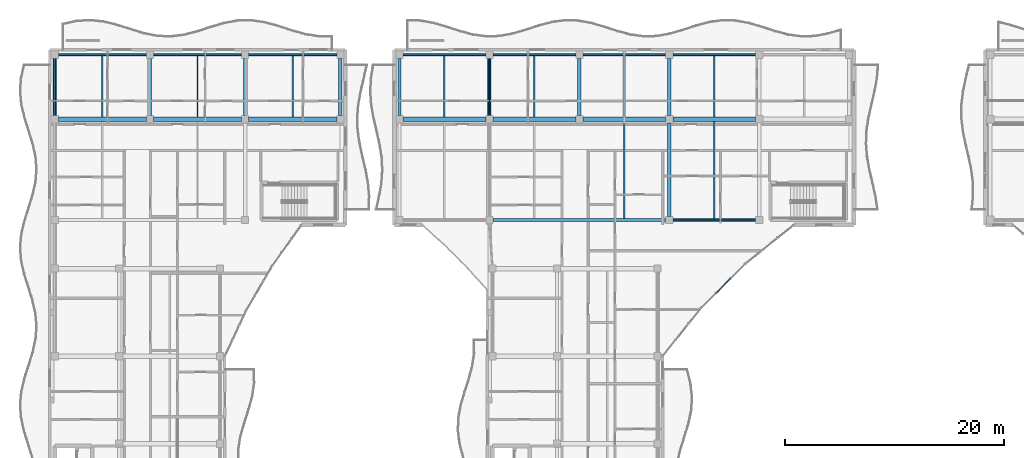
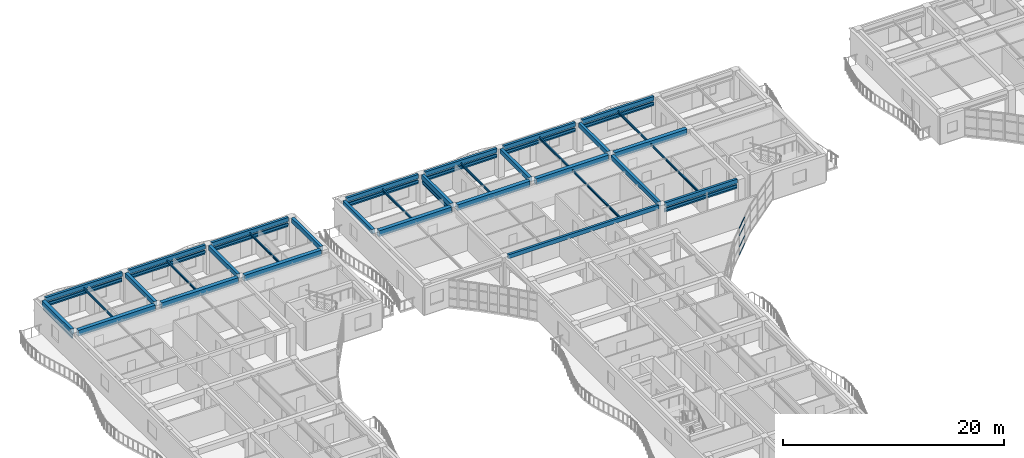
# One storey, part 48 of 128: 34 beams, 24 members, 1 element without a shape of its own.
"""IFC4 building model written with IfcOpenShell, lengths in metres."""

from ifc_helpers import new_model, si_unit, direction, frame, origin, origin_2d, place, context, subcontext, project, spatial, rectangle, hollow_rectangle, i_section, extrude, material, layer, layer_set, material_profile, profile_set, type_object, element, aggregate, save


model = new_model("IFC4")

# Units and contexts
model_context = context("Model", 3, precision=1e-05, world=origin(), true_north=direction((0.0, 1.0)))
body_context = subcontext(model_context, "Body", "Model", "MODEL_VIEW")
ifc_project = project(units=[si_unit("LENGTHUNIT", "METRE"), si_unit("AREAUNIT", "SQUARE_METRE"), si_unit("VOLUMEUNIT", "CUBIC_METRE"), si_unit("PLANEANGLEUNIT", "RADIAN"), si_unit("MASSUNIT", "GRAM", prefix="KILO")], contexts=[model_context])

# Site, building, storey
site_placement = place(None, origin())
site = spatial("IfcSite", under=ifc_project, at=site_placement, CompositionType="ELEMENT")
building_placement = place(site_placement, origin())
building = spatial("IfcBuilding", under=site, at=building_placement, Name="Keldmere Railside Commons", CompositionType="ELEMENT")
storey_placement = place(building_placement, frame((0.0, 0.0, 4.159912109375)))
storey = spatial("IfcBuildingStorey", under=building, at=storey_placement, Name="L01", CompositionType="ELEMENT", Elevation=4.159912109375)

# Members
ifc_material_1 = material(Name="Steel F-36 (S355)", Category="steel")
ifc_material_profile_1 = material_profile(ifc_material_1, hollow_rectangle(XDim=0.14990234375, YDim=0.25, WallThickness=0.010009765625, at=origin_2d()), Name="RHS-250x150x10")
ifc_profile_set_1 = profile_set([ifc_material_profile_1], Name="Steel F-36 (S355)")
member_type_1 = type_object("IfcMemberType", Name="Balcony Continuous Planted Trough RHS250x150", PredefinedType="CHORD", material=ifc_profile_set_1)
member_1_placement = place(storey_placement, frame((8.77490234375, 115.550048828125, 2.4150390625), z_axis=(1.0, 0.0, 0.0), x_axis=(0.0, 1.0, 0.0)))
element("IfcMember", 1, at=member_1_placement, inside=storey, type_object=member_type_1, Name="PLT-1 MEM-BPLT-0093", PredefinedType="CHORD", context=body_context, shape_type="SweptSolid", body=[
    extrude(hollow_rectangle(XDim=0.14990234375, YDim=0.25, WallThickness=0.010009765625, at=origin_2d()), origin(), (0.0, 0.0, 1.0), 8.050048828125),
])
member_2_placement = place(storey_placement, frame((17.47509765625, 115.550048828125, 2.4150390625), z_axis=(1.0, 0.0, 0.0), x_axis=(0.0, 1.0, 0.0)))
element("IfcMember", 2, at=member_2_placement, inside=storey, type_object=member_type_1, Name="PLT-1 MEM-BPLT-0095", PredefinedType="CHORD", context=body_context, shape_type="SweptSolid", body=[
    extrude(hollow_rectangle(XDim=0.14990234375, YDim=0.25, WallThickness=0.010009765625, at=origin_2d()), origin(), (0.0, 0.0, 1.0), 8.0498046875),
])
member_3_placement = place(storey_placement, frame((26.175048828125, 115.550048828125, 2.4150390625), z_axis=(1.0, 0.0, 0.0), x_axis=(0.0, 1.0, 0.0)))
element("IfcMember", 3, at=member_3_placement, inside=storey, type_object=member_type_1, Name="PLT-1 MEM-BPLT-0097", PredefinedType="CHORD", context=body_context, shape_type="SweptSolid", body=[
    extrude(hollow_rectangle(XDim=0.14990234375, YDim=0.25, WallThickness=0.010009765625, at=origin_2d()), origin(), (0.0, 0.0, 1.0), 8.050048828125),
])
member_4_placement = place(storey_placement, frame((8.449951171875, 109.97509765625, 2.4150390625), z_axis=(0.0, 1.0, 0.0), x_axis=(-1.0, 0.0, 0.0)))
element("IfcMember", 4, at=member_4_placement, inside=storey, type_object=member_type_1, Name="PLT-1 MEM-BPLT-0107", PredefinedType="CHORD", context=body_context, shape_type="SweptSolid", body=[
    extrude(hollow_rectangle(XDim=0.14990234375, YDim=0.25, WallThickness=0.010009765625, at=origin_2d()), origin(), (0.0, 0.0, 1.0), 5.25),
])
member_5_placement = place(storey_placement, frame((40.27490234375, 115.550048828125, 2.4150390625), z_axis=(1.0, 0.0, 0.0), x_axis=(0.0, 1.0, 0.0)))
element("IfcMember", 5, at=member_5_placement, inside=storey, type_object=member_type_1, Name="PLT-1 MEM-BPLT-0119", PredefinedType="CHORD", context=body_context, shape_type="SweptSolid", body=[
    extrude(hollow_rectangle(XDim=0.14990234375, YDim=0.25, WallThickness=0.010009765625, at=origin_2d()), origin(), (0.0, 0.0, 1.0), 7.570068359375),
])
for number, where, z_axis, x_axis, name in (
    (6, (48.4951171875, 115.550048828125, 2.4150390625), (1.0, 0.0, 0.0), (0.0, 1.0, 0.0), "PLT-1 MEM-BPLT-0121"),
    (7, (56.715087890625, 115.550048828125, 2.4150390625), (1.0, 0.0, 0.0), (0.0, 1.0, 0.0), "PLT-1 MEM-BPLT-0123"),
    (8, (64.93505859375, 115.550048828125, 2.4150390625), (1.0, 0.0, 0.0), (0.0, 1.0, 0.0), "PLT-1 MEM-BPLT-0125"),
    (9, (64.93505859375, 100.449951171875, 2.4150390625), (1.0, 0.0, 0.0), (0.0, 1.0, 0.0), "PLT-1 MEM-BPLT-0131"),
):
    element("IfcMember", number, at=place(storey_placement, frame(where, z_axis=z_axis, x_axis=x_axis)), inside=storey, type_object=member_type_1, Name=name, PredefinedType="CHORD", context=body_context, shape_type="SweptSolid", body=[
        extrude(hollow_rectangle(XDim=0.14990234375, YDim=0.25, WallThickness=0.010009765625, at=origin_2d()), origin(), (0.0, 0.0, 1.0), 7.56982421875),
    ])
member_6_placement = place(storey_placement, frame((48.169921875, 109.97509765625, 2.4150390625), z_axis=(0.0, 1.0, 0.0), x_axis=(-1.0, 0.0, 0.0)))
element("IfcMember", 10, at=member_6_placement, inside=storey, type_object=member_type_1, Name="PLT-1 MEM-BPLT-0141", PredefinedType="CHORD", context=body_context, shape_type="SweptSolid", body=[
    extrude(hollow_rectangle(XDim=0.14990234375, YDim=0.25, WallThickness=0.010009765625, at=origin_2d()), origin(), (0.0, 0.0, 1.0), 5.25),
])

# Beams
ifc_material_profile_2 = material_profile(ifc_material_1, i_section(OverallWidth=0.1201171875, OverallDepth=0.239990234375, WebThickness=0.006103515625, FlangeThickness=0.009765625, at=origin_2d()), Name="IPE-240")
ifc_profile_set_2 = profile_set([ifc_material_profile_2], Name="Steel F-36 (S355)")
beam_type_1 = type_object("IfcBeamType", Name="Nursery & Mezzanine Steel Joist IPE240", PredefinedType="JOIST", material=ifc_profile_set_2)
for number, where, z_axis, x_axis, name in (
    (11, (60.5, 100.574951171875, 2.81005859375), (0.0, 1.0, 0.0), (-1.0, 0.0, 0.0), "JST-2 BM-L01-1021"),
    (12, (68.719970703125, 100.574951171875, 2.81005859375), (0.0, 1.0, 0.0), (-1.0, 0.0, 0.0), "JST-2 BM-L01-1022"),
):
    element("IfcBeam", number, at=place(storey_placement, frame(where, z_axis=z_axis, x_axis=x_axis)), inside=storey, type_object=beam_type_1, Name=name, PredefinedType="JOIST", context=body_context, shape_type="SweptSolid", body=[
        extrude(i_section(OverallWidth=0.1201171875, OverallDepth=0.239990234375, WebThickness=0.006103515625, FlangeThickness=0.009765625, at=origin_2d()), origin(), (0.0, 0.0, 1.0), 8.875),
    ])
for number, where, z_axis, x_axis, name in (
    (13, (12.800048828125, 109.85009765625, 2.81005859375), (0.0, 1.0, 0.0), (-1.0, 0.0, 0.0), "JST-2 BM-L01-1030"),
    (14, (21.5, 109.85009765625, 2.81005859375), (0.0, 1.0, 0.0), (-1.0, 0.0, 0.0), "JST-2 BM-L01-1031"),
    (15, (30.199951171875, 109.85009765625, 2.81005859375), (0.0, 1.0, 0.0), (-1.0, 0.0, 0.0), "JST-2 BM-L01-1032"),
    (16, (44.06005859375, 109.85009765625, 2.81005859375), (0.0, 1.0, 0.0), (-1.0, 0.0, 0.0), "JST-2 BM-L01-1033"),
    (17, (52.280029296875, 109.85009765625, 2.81005859375), (0.0, 1.0, 0.0), (-1.0, 0.0, 0.0), "JST-2 BM-L01-1034"),
    (18, (60.5, 109.85009765625, 2.81005859375), (0.0, 1.0, 0.0), (-1.0, 0.0, 0.0), "JST-2 BM-L01-1035"),
    (19, (68.719970703125, 109.85009765625, 2.81005859375), (0.0, 1.0, 0.0), (-1.0, 0.0, 0.0), "JST-2 BM-L01-1036"),
):
    element("IfcBeam", number, at=place(storey_placement, frame(where, z_axis=z_axis, x_axis=x_axis)), inside=storey, type_object=beam_type_1, Name=name, PredefinedType="JOIST", context=body_context, shape_type="SweptSolid", body=[
        extrude(i_section(OverallWidth=0.1201171875, OverallDepth=0.239990234375, WebThickness=0.006103515625, FlangeThickness=0.009765625, at=origin_2d()), origin(), (0.0, 0.0, 1.0), 5.574951171875),
    ])
ifc_material_2 = material(Name="Architectural Precast Concrete H-35 (C35/45)", Category="concrete")
ifc_material_profile_3 = material_profile(ifc_material_2, rectangle(XDim=0.25, YDim=0.449951171875, at=origin_2d()), Name="RC-250x450")
ifc_profile_set_3 = profile_set([ifc_material_profile_3], Name="Architectural Precast Concrete H-35 (C35/45)")
beam_type_2 = type_object("IfcBeamType", Name="Perimeter Precast Spandrel Beam 250x450", PredefinedType="SPANDREL", material=ifc_profile_set_3)
beam_1_placement = place(storey_placement, frame((48.4951171875, 100.449951171875, 2.97509765625), z_axis=(1.0, 0.0, 0.0), x_axis=(0.0, 1.0, 0.0)))
element("IfcBeam", 20, at=beam_1_placement, inside=storey, type_object=beam_type_2, Name="SPB-1 BM-L01-0821", PredefinedType="SPANDREL", context=body_context, shape_type="SweptSolid", body=[
    extrude(rectangle(XDim=0.25, YDim=0.449951171875, at=origin_2d()), origin(), (0.0, 0.0, 1.0), 15.789794921875),
])
beam_2_placement = place(storey_placement, frame((64.93505859375, 100.449951171875, 2.97509765625), z_axis=(1.0, 0.0, 0.0), x_axis=(0.0, 1.0, 0.0)))
element("IfcBeam", 21, at=beam_2_placement, inside=storey, type_object=beam_type_2, Name="SPB-1 BM-L01-0822", PredefinedType="SPANDREL", context=body_context, shape_type="SweptSolid", body=[
    extrude(rectangle(XDim=0.25, YDim=0.449951171875, at=origin_2d()), origin(), (0.0, 0.0, 1.0), 7.56982421875),
])
beam_3_placement = place(storey_placement, frame((8.77490234375, 115.550048828125, 2.97509765625), z_axis=(1.0, 0.0, 0.0), x_axis=(0.0, 1.0, 0.0)))
element("IfcBeam", 22, at=beam_3_placement, inside=storey, type_object=beam_type_2, Name="SPB-1 BM-L01-0848", PredefinedType="SPANDREL", context=body_context, shape_type="SweptSolid", body=[
    extrude(rectangle(XDim=0.25, YDim=0.449951171875, at=origin_2d()), origin(), (0.0, 0.0, 1.0), 8.050048828125),
])
beam_4_placement = place(storey_placement, frame((17.47509765625, 115.550048828125, 2.97509765625), z_axis=(1.0, 0.0, 0.0), x_axis=(0.0, 1.0, 0.0)))
element("IfcBeam", 23, at=beam_4_placement, inside=storey, type_object=beam_type_2, Name="SPB-1 BM-L01-0849", PredefinedType="SPANDREL", context=body_context, shape_type="SweptSolid", body=[
    extrude(rectangle(XDim=0.25, YDim=0.449951171875, at=origin_2d()), origin(), (0.0, 0.0, 1.0), 8.0498046875),
])
beam_5_placement = place(storey_placement, frame((26.175048828125, 115.550048828125, 2.97509765625), z_axis=(1.0, 0.0, 0.0), x_axis=(0.0, 1.0, 0.0)))
element("IfcBeam", 24, at=beam_5_placement, inside=storey, type_object=beam_type_2, Name="SPB-1 BM-L01-0850", PredefinedType="SPANDREL", context=body_context, shape_type="SweptSolid", body=[
    extrude(rectangle(XDim=0.25, YDim=0.449951171875, at=origin_2d()), origin(), (0.0, 0.0, 1.0), 8.050048828125),
])
beam_6_placement = place(storey_placement, frame((40.27490234375, 115.550048828125, 2.97509765625), z_axis=(1.0, 0.0, 0.0), x_axis=(0.0, 1.0, 0.0)))
element("IfcBeam", 25, at=beam_6_placement, inside=storey, type_object=beam_type_2, Name="SPB-1 BM-L01-0851", PredefinedType="SPANDREL", context=body_context, shape_type="SweptSolid", body=[
    extrude(rectangle(XDim=0.25, YDim=0.449951171875, at=origin_2d()), origin(), (0.0, 0.0, 1.0), 7.570068359375),
])
for number, where, z_axis, x_axis, name in (
    (26, (48.4951171875, 115.550048828125, 2.97509765625), (1.0, 0.0, 0.0), (0.0, 1.0, 0.0), "SPB-1 BM-L01-0852"),
    (27, (56.715087890625, 115.550048828125, 2.97509765625), (1.0, 0.0, 0.0), (0.0, 1.0, 0.0), "SPB-1 BM-L01-0853"),
    (28, (64.93505859375, 115.550048828125, 2.97509765625), (1.0, 0.0, 0.0), (0.0, 1.0, 0.0), "SPB-1 BM-L01-0854"),
):
    element("IfcBeam", number, at=place(storey_placement, frame(where, z_axis=z_axis, x_axis=x_axis)), inside=storey, type_object=beam_type_2, Name=name, PredefinedType="SPANDREL", context=body_context, shape_type="SweptSolid", body=[
        extrude(rectangle(XDim=0.25, YDim=0.449951171875, at=origin_2d()), origin(), (0.0, 0.0, 1.0), 7.56982421875),
    ])
ifc_material_3 = material(Name="Concrete H-30 (C30/37)", Category="concrete")
ifc_material_profile_4 = material_profile(ifc_material_3, rectangle(XDim=0.35009765625, YDim=0.60009765625, at=origin_2d()), Name="RC-350x600")
ifc_profile_set_4 = profile_set([ifc_material_profile_4], Name="Concrete H-30 (C30/37)")
beam_type_3 = type_object("IfcBeamType", Name="Residential Chord RC Beam 350x600", PredefinedType="BEAM", material=ifc_profile_set_4)
beam_7_placement = place(storey_placement, frame((8.449951171875, 109.97509765625, 2.900146484375), z_axis=(0.0, 1.0, 0.0), x_axis=(-1.0, 0.0, 0.0)))
element("IfcBeam", 29, at=beam_7_placement, inside=storey, type_object=beam_type_3, Name="BG-4 BM-L01-0872", PredefinedType="BEAM", context=body_context, shape_type="SweptSolid", body=[
    extrude(rectangle(XDim=0.35009765625, YDim=0.60009765625, at=origin_2d()), origin(), (0.0, 0.0, 1.0), 5.25),
])
ifc_material_profile_5 = material_profile(ifc_material_3, rectangle(XDim=0.39990234375, YDim=0.64990234375, at=origin_2d()), Name="RC-400x650")
ifc_profile_set_5 = profile_set([ifc_material_profile_5], Name="Concrete H-30 (C30/37)")
beam_type_4 = type_object("IfcBeamType", Name="Residential Spine RC Girder 400x650", PredefinedType="BEAM", material=ifc_profile_set_5)
beam_8_placement = place(storey_placement, frame((8.77490234375, 109.64990234375, 2.875), z_axis=(1.0, 0.0, 0.0), x_axis=(0.0, 1.0, 0.0)))
element("IfcBeam", 30, at=beam_8_placement, inside=storey, type_object=beam_type_4, Name="BG-3 BM-L01-0829", PredefinedType="BEAM", context=body_context, shape_type="SweptSolid", body=[
    extrude(rectangle(XDim=0.39990234375, YDim=0.64990234375, at=origin_2d()), origin(), (0.0, 0.0, 1.0), 8.050048828125),
])
beam_9_placement = place(storey_placement, frame((17.47509765625, 109.64990234375, 2.875), z_axis=(1.0, 0.0, 0.0), x_axis=(0.0, 1.0, 0.0)))
element("IfcBeam", 31, at=beam_9_placement, inside=storey, type_object=beam_type_4, Name="BG-3 BM-L01-0830", PredefinedType="BEAM", context=body_context, shape_type="SweptSolid", body=[
    extrude(rectangle(XDim=0.39990234375, YDim=0.64990234375, at=origin_2d()), origin(), (0.0, 0.0, 1.0), 8.0498046875),
])
beam_10_placement = place(storey_placement, frame((26.175048828125, 109.64990234375, 2.875), z_axis=(1.0, 0.0, 0.0), x_axis=(0.0, 1.0, 0.0)))
element("IfcBeam", 32, at=beam_10_placement, inside=storey, type_object=beam_type_4, Name="BG-3 BM-L01-0831", PredefinedType="BEAM", context=body_context, shape_type="SweptSolid", body=[
    extrude(rectangle(XDim=0.39990234375, YDim=0.64990234375, at=origin_2d()), origin(), (0.0, 0.0, 1.0), 8.050048828125),
])
beam_11_placement = place(storey_placement, frame((40.27490234375, 109.64990234375, 2.875), z_axis=(1.0, 0.0, 0.0), x_axis=(0.0, 1.0, 0.0)))
element("IfcBeam", 33, at=beam_11_placement, inside=storey, type_object=beam_type_4, Name="BG-3 BM-L01-0832", PredefinedType="BEAM", context=body_context, shape_type="SweptSolid", body=[
    extrude(rectangle(XDim=0.39990234375, YDim=0.64990234375, at=origin_2d()), origin(), (0.0, 0.0, 1.0), 7.570068359375),
])
for number, where, z_axis, x_axis, name in (
    (34, (48.4951171875, 109.64990234375, 2.875), (1.0, 0.0, 0.0), (0.0, 1.0, 0.0), "BG-3 BM-L01-0833"),
    (35, (56.715087890625, 109.64990234375, 2.875), (1.0, 0.0, 0.0), (0.0, 1.0, 0.0), "BG-3 BM-L01-0834"),
    (36, (64.93505859375, 109.64990234375, 2.875), (1.0, 0.0, 0.0), (0.0, 1.0, 0.0), "BG-3 BM-L01-0835"),
):
    element("IfcBeam", number, at=place(storey_placement, frame(where, z_axis=z_axis, x_axis=x_axis)), inside=storey, type_object=beam_type_4, Name=name, PredefinedType="BEAM", context=body_context, shape_type="SweptSolid", body=[
        extrude(rectangle(XDim=0.39990234375, YDim=0.64990234375, at=origin_2d()), origin(), (0.0, 0.0, 1.0), 7.56982421875),
    ])
ifc_material_profile_6 = material_profile(ifc_material_3, rectangle(XDim=0.300048828125, YDim=0.5, at=origin_2d()), Name="RC-300x500")
ifc_profile_set_6 = profile_set([ifc_material_profile_6], Name="Concrete H-30 (C30/37)")
beam_type_5 = type_object("IfcBeamType", Name="Secondary Frame RC Beam 300x500", PredefinedType="BEAM", material=ifc_profile_set_6)
for number, where, z_axis, x_axis, name in (
    (37, (17.14990234375, 109.97509765625, 2.9501953125), (0.0, 1.0, 0.0), (-1.0, 0.0, 0.0), "BG-5 BM-L01-0878"),
    (38, (25.85009765625, 109.97509765625, 2.9501953125), (0.0, 1.0, 0.0), (-1.0, 0.0, 0.0), "BG-5 BM-L01-0885"),
    (39, (34.550048828125, 109.97509765625, 2.9501953125), (0.0, 1.0, 0.0), (-1.0, 0.0, 0.0), "BG-5 BM-L01-0886"),
    (40, (39.949951171875, 109.97509765625, 2.9501953125), (0.0, 1.0, 0.0), (-1.0, 0.0, 0.0), "BG-5 BM-L01-0888"),
    (41, (48.169921875, 109.97509765625, 2.9501953125), (0.0, 1.0, 0.0), (-1.0, 0.0, 0.0), "BG-5 BM-L01-0892"),
    (42, (56.389892578125, 109.97509765625, 2.9501953125), (0.0, 1.0, 0.0), (-1.0, 0.0, 0.0), "BG-5 BM-L01-0900"),
):
    element("IfcBeam", number, at=place(storey_placement, frame(where, z_axis=z_axis, x_axis=x_axis)), inside=storey, type_object=beam_type_5, Name=name, PredefinedType="BEAM", context=body_context, shape_type="SweptSolid", body=[
        extrude(rectangle(XDim=0.300048828125, YDim=0.5, at=origin_2d()), origin(), (0.0, 0.0, 1.0), 5.25),
    ])
beam_12_placement = place(storey_placement, frame((64.610107421875, 100.77490234375, 2.9501953125), z_axis=(0.0, 1.0, 0.0), x_axis=(-1.0, 0.0, 0.0)))
element("IfcBeam", 43, at=beam_12_placement, inside=storey, type_object=beam_type_5, Name="BG-5 BM-L01-0906", PredefinedType="BEAM", context=body_context, shape_type="SweptSolid", body=[
    extrude(rectangle(XDim=0.300048828125, YDim=0.5, at=origin_2d()), origin(), (0.0, 0.0, 1.0), 8.550048828125),
])
beam_13_placement = place(storey_placement, frame((64.610107421875, 109.97509765625, 2.9501953125), z_axis=(0.0, 1.0, 0.0), x_axis=(-1.0, 0.0, 0.0)))
element("IfcBeam", 44, at=beam_13_placement, inside=storey, type_object=beam_type_5, Name="BG-5 BM-L01-0907", PredefinedType="BEAM", context=body_context, shape_type="SweptSolid", body=[
    extrude(rectangle(XDim=0.300048828125, YDim=0.5, at=origin_2d()), origin(), (0.0, 0.0, 1.0), 5.25),
])

# Members
ifc_material_profile_7 = material_profile(ifc_material_1, hollow_rectangle(XDim=0.10009765625, YDim=0.159912109375, WallThickness=0.008056640625, at=origin_2d()), Name="RHS-160x100x8")
ifc_profile_set_7 = profile_set([ifc_material_profile_7], Name="Steel F-36 (S355)")
member_type_2 = type_object("IfcMemberType", Name="Solar Brise-Soleil Louvre Fin RHS160x100", PredefinedType="STRUT", material=ifc_profile_set_7)
member_7_placement = place(storey_placement, frame((8.77490234375, 115.550048828125, 2.2001953125), z_axis=(1.0, 0.0, 0.0), x_axis=(0.0, 1.0, 0.0)))
element("IfcMember", 45, at=member_7_placement, inside=storey, type_object=member_type_2, Name="BSF-1 MEM-BSF-0094", PredefinedType="STRUT", context=body_context, shape_type="SweptSolid", body=[
    extrude(hollow_rectangle(XDim=0.10009765625, YDim=0.159912109375, WallThickness=0.008056640625, at=origin_2d()), origin(), (0.0, 0.0, 1.0), 8.050048828125),
])
member_8_placement = place(storey_placement, frame((17.47509765625, 115.550048828125, 2.2001953125), z_axis=(1.0, 0.0, 0.0), x_axis=(0.0, 1.0, 0.0)))
element("IfcMember", 46, at=member_8_placement, inside=storey, type_object=member_type_2, Name="BSF-1 MEM-BSF-0096", PredefinedType="STRUT", context=body_context, shape_type="SweptSolid", body=[
    extrude(hollow_rectangle(XDim=0.10009765625, YDim=0.159912109375, WallThickness=0.008056640625, at=origin_2d()), origin(), (0.0, 0.0, 1.0), 8.0498046875),
])
member_9_placement = place(storey_placement, frame((26.175048828125, 115.550048828125, 2.2001953125), z_axis=(1.0, 0.0, 0.0), x_axis=(0.0, 1.0, 0.0)))
element("IfcMember", 47, at=member_9_placement, inside=storey, type_object=member_type_2, Name="BSF-1 MEM-BSF-0098", PredefinedType="STRUT", context=body_context, shape_type="SweptSolid", body=[
    extrude(hollow_rectangle(XDim=0.10009765625, YDim=0.159912109375, WallThickness=0.008056640625, at=origin_2d()), origin(), (0.0, 0.0, 1.0), 8.050048828125),
])
member_10_placement = place(storey_placement, frame((8.449951171875, 109.97509765625, 2.2001953125), z_axis=(0.0, 1.0, 0.0), x_axis=(-1.0, 0.0, 0.0)))
element("IfcMember", 48, at=member_10_placement, inside=storey, type_object=member_type_2, Name="BSF-1 MEM-BSF-0108", PredefinedType="STRUT", context=body_context, shape_type="SweptSolid", body=[
    extrude(hollow_rectangle(XDim=0.10009765625, YDim=0.159912109375, WallThickness=0.008056640625, at=origin_2d()), origin(), (0.0, 0.0, 1.0), 5.25),
])
member_11_placement = place(storey_placement, frame((40.27490234375, 115.550048828125, 2.2001953125), z_axis=(1.0, 0.0, 0.0), x_axis=(0.0, 1.0, 0.0)))
element("IfcMember", 49, at=member_11_placement, inside=storey, type_object=member_type_2, Name="BSF-1 MEM-BSF-0120", PredefinedType="STRUT", context=body_context, shape_type="SweptSolid", body=[
    extrude(hollow_rectangle(XDim=0.10009765625, YDim=0.159912109375, WallThickness=0.008056640625, at=origin_2d()), origin(), (0.0, 0.0, 1.0), 7.570068359375),
])
for number, where, z_axis, x_axis, name in (
    (50, (48.4951171875, 115.550048828125, 2.2001953125), (1.0, 0.0, 0.0), (0.0, 1.0, 0.0), "BSF-1 MEM-BSF-0122"),
    (51, (56.715087890625, 115.550048828125, 2.2001953125), (1.0, 0.0, 0.0), (0.0, 1.0, 0.0), "BSF-1 MEM-BSF-0124"),
    (52, (64.93505859375, 115.550048828125, 2.2001953125), (1.0, 0.0, 0.0), (0.0, 1.0, 0.0), "BSF-1 MEM-BSF-0126"),
    (53, (64.93505859375, 100.449951171875, 2.2001953125), (1.0, 0.0, 0.0), (0.0, 1.0, 0.0), "BSF-1 MEM-BSF-0132"),
):
    element("IfcMember", number, at=place(storey_placement, frame(where, z_axis=z_axis, x_axis=x_axis)), inside=storey, type_object=member_type_2, Name=name, PredefinedType="STRUT", context=body_context, shape_type="SweptSolid", body=[
        extrude(hollow_rectangle(XDim=0.10009765625, YDim=0.159912109375, WallThickness=0.008056640625, at=origin_2d()), origin(), (0.0, 0.0, 1.0), 7.56982421875),
    ])
member_12_placement = place(storey_placement, frame((48.169921875, 109.97509765625, 2.2001953125), z_axis=(0.0, 1.0, 0.0), x_axis=(-1.0, 0.0, 0.0)))
element("IfcMember", 54, at=member_12_placement, inside=storey, type_object=member_type_2, Name="BSF-1 MEM-BSF-0142", PredefinedType="STRUT", context=body_context, shape_type="SweptSolid", body=[
    extrude(hollow_rectangle(XDim=0.10009765625, YDim=0.159912109375, WallThickness=0.008056640625, at=origin_2d()), origin(), (0.0, 0.0, 1.0), 5.25),
])

# Curtain wall, members
ifc_material_4 = material(Name="Thermally Broken Aluminium", Category="aluminium")
ifc_layer = layer(ifc_material_4, 0.159912109375, Name="Court Chord Wintergarden CW 5400x2850")
ifc_layer_set = layer_set([ifc_layer], Name="Thermally Broken Aluminium")
curtain_wall_type = type_object("IfcCurtainWallType", Name="Court Chord Wintergarden CW 5400x2850", PredefinedType="NOTDEFINED", material=ifc_layer_set)
curtain_wall_placement = place(storey_placement, origin())
curtain_wall = element("IfcCurtainWall", 55, at=curtain_wall_placement, inside=storey, type_object=curtain_wall_type, Name="CW-13 CW-L01-032", PredefinedType="NOTDEFINED")
ifc_material_profile_8 = material_profile(ifc_material_4, hollow_rectangle(XDim=0.06494140625, YDim=0.1201171875, WallThickness=0.00390625, at=origin_2d()), Name="ALU-TRAN-65x120")
ifc_profile_set_8 = profile_set([ifc_material_profile_8], Name="Thermally Broken Aluminium")
member_type_3 = type_object("IfcMemberType", Name="Unitised Curtain Wall Transom 65x120", PredefinedType="USERDEFINED", material=ifc_profile_set_8)
member_13_placement = place(storey_placement, frame((70.208251953125, 95.08447265625, 0.032470703125), z_axis=(-0.707106781187, -0.707106781187, 0.0), x_axis=(0.707106781187, -0.707106781187, 0.0)))
member_13 = element("IfcMember", 56, at=member_13_placement, type_object=member_type_3, Name="CW-13 transom 2.1", ObjectType="TRANSOM", PredefinedType="USERDEFINED", context=body_context, shape_type="SweptSolid", body=[
    extrude(hollow_rectangle(XDim=0.06494140625, YDim=0.1201171875, WallThickness=0.00390625, at=origin_2d()), origin(), (0.0, 0.0, 1.0), 1.828125),
])
member_14_placement = place(storey_placement, frame((70.208251953125, 95.08447265625, 0.900146484375), z_axis=(-0.707106781187, -0.707106781187, 0.0), x_axis=(0.707106781187, -0.707106781187, 0.0)))
member_14 = element("IfcMember", 57, at=member_14_placement, type_object=member_type_3, Name="CW-13 transom 2.2", ObjectType="TRANSOM", PredefinedType="USERDEFINED", context=body_context, shape_type="SweptSolid", body=[
    extrude(hollow_rectangle(XDim=0.06494140625, YDim=0.1201171875, WallThickness=0.00390625, at=origin_2d()), origin(), (0.0, 0.0, 1.0), 1.828125),
])
member_15_placement = place(storey_placement, frame((70.208251953125, 95.08447265625, 2.150146484375), z_axis=(-0.707106781187, -0.707106781187, 0.0), x_axis=(0.707106781187, -0.707106781187, 0.0)))
member_15 = element("IfcMember", 58, at=member_15_placement, type_object=member_type_3, Name="CW-13 transom 2.3", ObjectType="TRANSOM", PredefinedType="USERDEFINED", context=body_context, shape_type="SweptSolid", body=[
    extrude(hollow_rectangle(XDim=0.06494140625, YDim=0.1201171875, WallThickness=0.00390625, at=origin_2d()), origin(), (0.0, 0.0, 1.0), 1.828125),
])
member_16_placement = place(storey_placement, frame((70.208251953125, 95.08447265625, 2.947509765625), z_axis=(-0.707106781187, -0.707106781187, 0.0), x_axis=(0.707106781187, -0.707106781187, 0.0)))
member_16 = element("IfcMember", 59, at=member_16_placement, type_object=member_type_3, Name="CW-13 transom 2.4", ObjectType="TRANSOM", PredefinedType="USERDEFINED", context=body_context, shape_type="SweptSolid", body=[
    extrude(hollow_rectangle(XDim=0.06494140625, YDim=0.1201171875, WallThickness=0.00390625, at=origin_2d()), origin(), (0.0, 0.0, 1.0), 1.828125),
])
aggregate(curtain_wall, [member_13, member_14, member_15, member_16])

save(model, "model.ifc")
